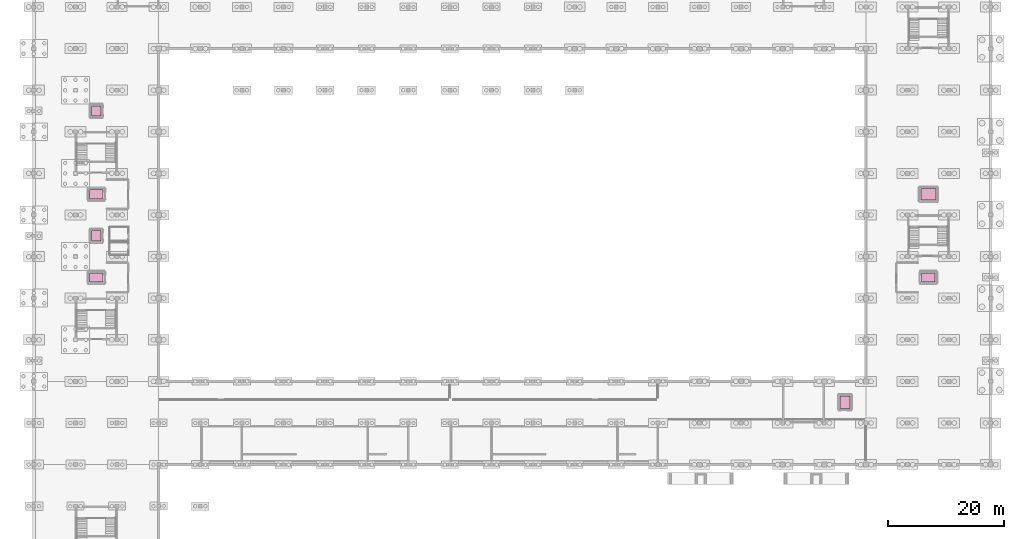
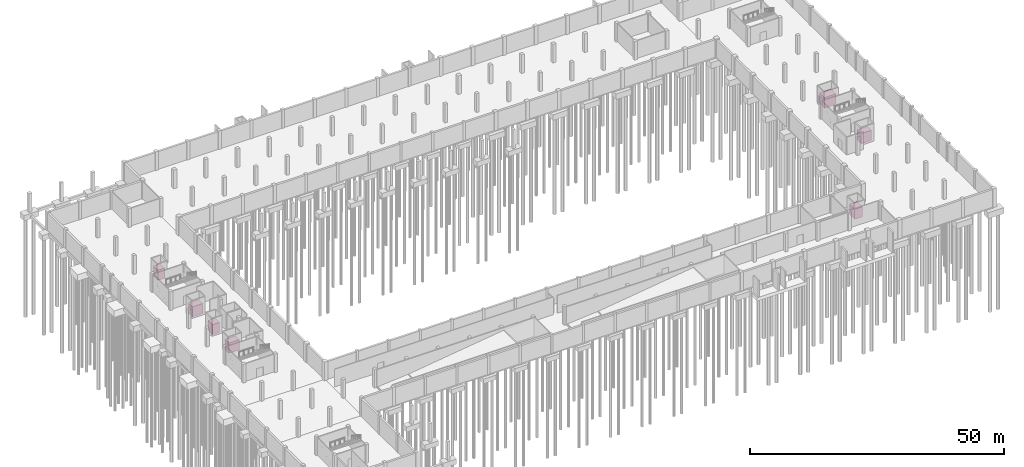
# One storey, part 18 of 18: 7 transport elements.
"""IFC4 building model written with IfcOpenShell, lengths in metres."""

from ifc_helpers import new_model, si_unit, direction, frame, origin, origin_2d, place, context, subcontext, project, spatial, rectangle, extrude, material, type_object, element, save


model = new_model("IFC4")

# Units and contexts
model_context = context("Model", 3, precision=1e-05, world=origin(), true_north=direction((0.0, 1.0)))
body_context = subcontext(model_context, "Body", "Model", "MODEL_VIEW")
ifc_project = project(units=[si_unit("LENGTHUNIT", "METRE"), si_unit("AREAUNIT", "SQUARE_METRE"), si_unit("VOLUMEUNIT", "CUBIC_METRE"), si_unit("PLANEANGLEUNIT", "RADIAN"), si_unit("MASSUNIT", "GRAM", prefix="KILO")], contexts=[model_context])

# Site, building, storey
site_placement = place(None, origin())
site = spatial("IfcSite", under=ifc_project, at=site_placement, CompositionType="ELEMENT")
building_placement = place(site_placement, origin())
building = spatial("IfcBuilding", under=site, at=building_placement, Name="Kangsadwip Square Police Headquarters", CompositionType="ELEMENT")
storey_placement = place(building_placement, frame((0.0, 0.0, -4.5)))
storey = spatial("IfcBuildingStorey", under=building, at=storey_placement, Name="B1", CompositionType="ELEMENT", Elevation=-4.5)

# Transport elements
ifc_material_1 = material(Name="Brushed stainless steel elevator cab enclosure", Category="steel")
transport_element_type_1 = type_object("IfcTransportElementType", Name="FirefightingLiftType", PredefinedType="ELEVATOR", material=ifc_material_1)
for number, where, z_axis, x_axis, name in (
    (1, (10.800048828125, 54.0, 0.0), (0.0, 0.0, 1.0), (1.0, 0.0, 0.0), "Firefighting and Stretcher Lift LF-01"),
    (2, (10.800048828125, 68.39990234375, 0.0), (0.0, 0.0, 1.0), (1.0, 0.0, 0.0), "Firefighting and Stretcher Lift LF-02"),
    (3, (154.800048828125, 54.0, 0.0), (0.0, 0.0, 1.0), (1.0, 0.0, 0.0), "Firefighting and Stretcher Lift LF-03"),
):
    element("IfcTransportElement", number, at=place(storey_placement, frame(where, z_axis=z_axis, x_axis=x_axis)), inside=storey, type_object=transport_element_type_1, Name=name, PredefinedType="ELEVATOR", context=body_context, shape_type="SweptSolid", body=[
        extrude(rectangle(XDim=2.39990234375, YDim=1.60009765625, at=origin_2d()), origin(), (0.0, 0.0, 1.0), 2.449951171875),
    ])
ifc_material_2 = material(Name="Brushed stainless steel elevator cab enclosure", Category="steel")
transport_element_type_2 = type_object("IfcTransportElementType", Name="GoodsEvidenceLiftType", PredefinedType="ELEVATOR", material=ifc_material_2)
transport_element_1_placement = place(storey_placement, frame((154.800048828125, 68.39990234375, 0.0), z_axis=(0.0, 0.0, 1.0), x_axis=(1.0, 0.0, 0.0)))
element("IfcTransportElement", 4, at=transport_element_1_placement, inside=storey, type_object=transport_element_type_2, Name="Forensic Goods and Evidence Lift LP-03", PredefinedType="ELEVATOR", context=body_context, shape_type="SweptSolid", body=[
    extrude(rectangle(XDim=2.60009765625, YDim=2.0, at=origin_2d()), origin(), (0.0, 0.0, 1.0), 2.550048828125),
])
ifc_material_3 = material(Name="Brushed stainless steel elevator cab enclosure", Category="steel")
transport_element_type_3 = type_object("IfcTransportElementType", Name="PassengerLiftType", PredefinedType="ELEVATOR", material=ifc_material_3)
for number, where, z_axis, x_axis, name in (
    (5, (10.800048828125, 61.199951171875, 0.0), (0.0, 0.0, 1.0), (1.0, 0.0, 0.0), "Operations Passenger Lift LP-01"),
    (6, (10.800048828125, 82.800048828125, 0.0), (0.0, 0.0, 1.0), (1.0, 0.0, 0.0), "Directorate Passenger Lift LP-02"),
):
    element("IfcTransportElement", number, at=place(storey_placement, frame(where, z_axis=z_axis, x_axis=x_axis)), inside=storey, type_object=transport_element_type_3, Name=name, PredefinedType="ELEVATOR", context=body_context, shape_type="SweptSolid", body=[
        extrude(rectangle(XDim=1.60009765625, YDim=1.800048828125, at=origin_2d()), origin(), (0.0, 0.0, 1.0), 2.449951171875),
    ])
transport_element_2_placement = place(storey_placement, frame((140.39990234375, 32.39990234375, 0.0), z_axis=(0.0, 0.0, 1.0), x_axis=(1.0, 0.0, 0.0)))
element("IfcTransportElement", 7, at=transport_element_2_placement, inside=storey, type_object=transport_element_type_3, Name="Secure Custody Escort Lift LP-05", PredefinedType="ELEVATOR", context=body_context, shape_type="SweptSolid", body=[
    extrude(rectangle(XDim=1.75, YDim=2.10009765625, at=origin_2d()), origin(), (0.0, 0.0, 1.0), 2.449951171875),
])

save(model, "model.ifc")
